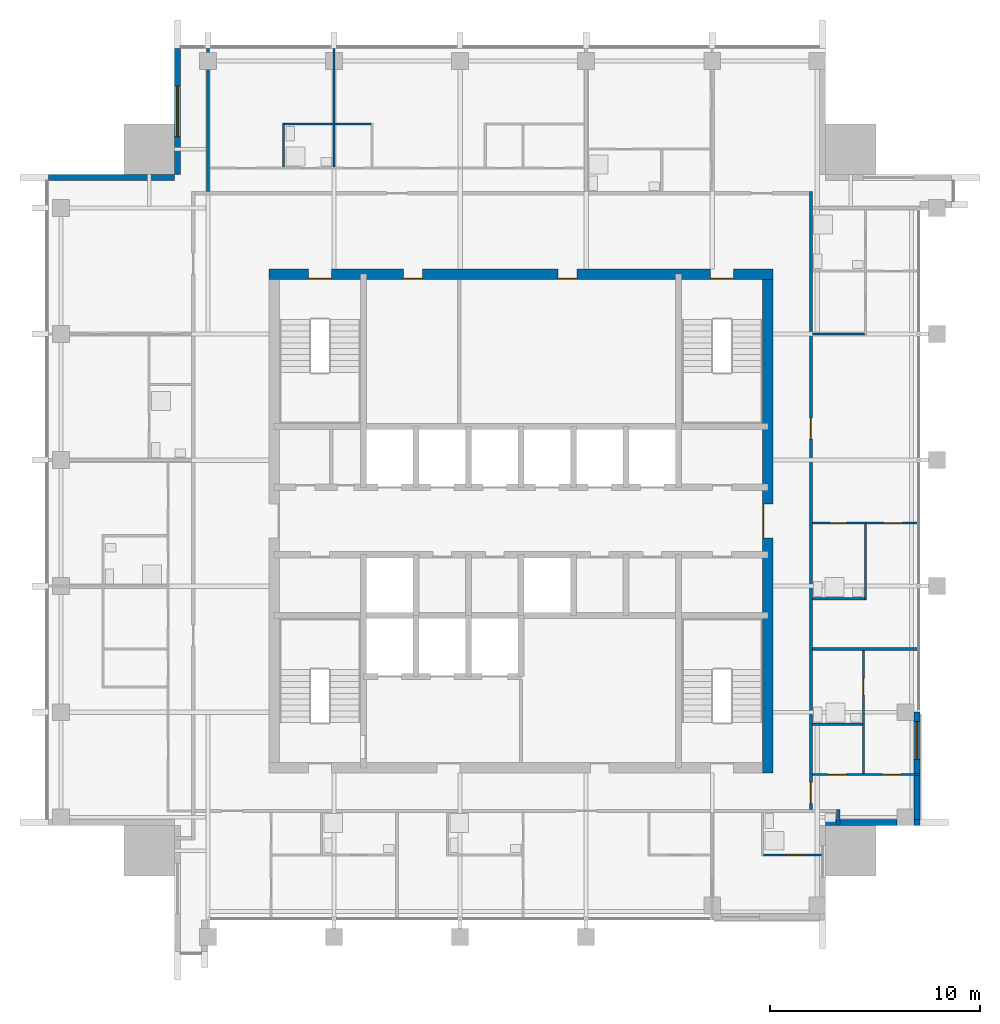
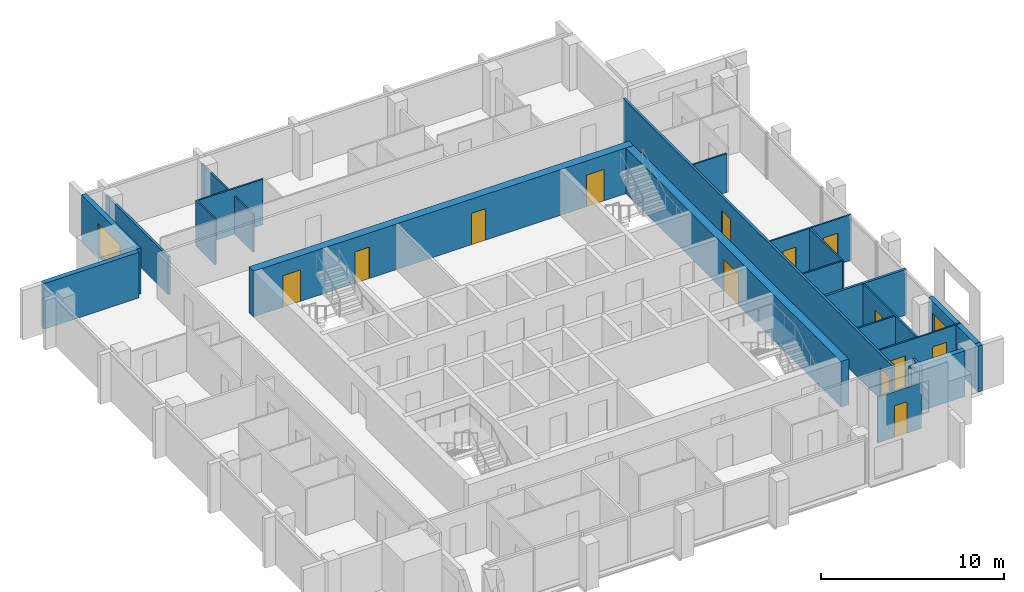
# One storey, part 9 of 13: 22 walls, 13 doors, 2 windows, 15 openings.
"""IFC4 building model written with IfcOpenShell, lengths in metres."""

from ifc_helpers import new_model, si_unit, direction, frame, frame_2d, origin, place, context, subcontext, project, spatial, rectangle, extrude, material, layer, layer_set, type_object, element, fill, save


model = new_model("IFC4")

# Units and contexts
model_context = context("Model", 3, precision=1e-05, world=origin(), true_north=direction((0.0, 1.0)))
body_context = subcontext(model_context, "Body", "Model", "MODEL_VIEW")
ifc_project = project(units=[si_unit("LENGTHUNIT", "METRE"), si_unit("AREAUNIT", "SQUARE_METRE"), si_unit("VOLUMEUNIT", "CUBIC_METRE"), si_unit("PLANEANGLEUNIT", "RADIAN"), si_unit("MASSUNIT", "GRAM", prefix="KILO")], contexts=[model_context])

# Site, building, storey
site_placement = place(None, origin())
site = spatial("IfcSite", under=ifc_project, at=site_placement, CompositionType="ELEMENT")
building_placement = place(site_placement, origin())
building = spatial("IfcBuilding", under=site, at=building_placement, Name="Amberfall Residences", CompositionType="ELEMENT")
storey_placement = place(building_placement, frame((0.0, 0.0, 271.89990234375)))
storey = spatial("IfcBuildingStorey", under=building, at=storey_placement, Name="L73", CompositionType="ELEMENT", Elevation=271.89990234375)

# Walls
ifc_material_1 = material(Name="Pale stone cladding on insulated backing", Category="masonry")
ifc_layer_1 = layer(ifc_material_1, 0.300048828125)
ifc_layer_set_1 = layer_set([ifc_layer_1], Name="Bronze clad wall 300")
wall_type_1 = type_object("IfcWallType", Name="Bronze clad wall 300", PredefinedType="SOLIDWALL", material=ifc_layer_set_1)
wall_1_placement = place(storey_placement, frame((89.0, 31.14990234375, 0.0), z_axis=(0.0, 0.0, 1.0), x_axis=(1.0, 0.0, 0.0)))
element("IfcWall", 1, at=wall_1_placement, inside=storey, type_object=wall_type_1, Name="External wall L73 SE", PredefinedType="SOLIDWALL", context=body_context, shape_type="SweptSolid", body=[
    extrude(rectangle(XDim=3.39990234375, YDim=0.300048828125, at=frame_2d((1.699951171875, 0.0))), origin(), (0.0, 0.0, 1.0), 3.050048828125),
])
wall_2_placement = place(storey_placement, frame((93.199951171875, 31.14990234375, 0.0), z_axis=(0.0, 0.0, 1.0), x_axis=(1.0, 0.0, 0.0)))
element("IfcWall", 2, at=wall_2_placement, inside=storey, type_object=wall_type_1, Name="External wall L73 SE", PredefinedType="SOLIDWALL", context=body_context, shape_type="SweptSolid", body=[
    extrude(rectangle(XDim=0.300048828125, YDim=0.300048828125, at=frame_2d((0.14990234375, 0.0))), origin(), (0.0, 0.0, 1.0), 3.050048828125),
])

# Wall, opening, window
wall_3_placement = place(storey_placement, frame((58.14990234375, 68.0, 0.0), z_axis=(0.0, 0.0, 1.0), x_axis=(0.0, -1.0, 0.0)))
wall_3 = element("IfcWall", 3, at=wall_3_placement, inside=storey, type_object=wall_type_1, Name="External wall L73 NW", PredefinedType="SOLIDWALL", context=body_context, shape_type="SweptSolid", body=[
    extrude(rectangle(XDim=6.0, YDim=0.300048828125, at=frame_2d((3.0, 0.0))), origin(), (0.0, 0.0, 1.0), 3.050048828125),
])
opening_1_placement = place(wall_3_placement, frame((1.800048828125, 0.0, 0.14990234375)))
opening_1 = element("IfcOpeningElement", 4, at=opening_1_placement, cuts=wall_3, Name="Opening WN5", PredefinedType="OPENING", context=body_context, shape_type="SweptSolid", body=[
    extrude(rectangle(XDim=2.39990234375, YDim=2.10009765625, at=frame_2d((1.199951171875, 1.050048828125))), frame((0.0, 0.159912109375, 0.0), z_axis=(0.0, -1.0, 0.0), x_axis=(1.0, 0.0, 0.0)), (0.0, 0.0, 1.0), 0.320068359375),
])
ifc_material_2 = material(Name="Bronze aluminium framed glazing", Category="aluminium")
window_type_1 = type_object("IfcWindowType", Name="Glazed opening 2400 x 2100 bronze", PartitioningType="DOUBLE_PANEL_VERTICAL", PredefinedType="WINDOW", material=ifc_material_2)
window_1_placement = place(opening_1_placement, origin())
window_1 = element("IfcWindow", 5, at=window_1_placement, inside=storey, type_object=window_type_1, Name="Window L73 NW", OverallHeight=2.10009765625, OverallWidth=2.39990234375, PartitioningType="DOUBLE_PANEL_VERTICAL", PredefinedType="WINDOW", context=body_context, shape_type="SweptSolid", body=[
    extrude(rectangle(XDim=2.39990234375, YDim=2.10009765625, at=frame_2d((1.199951171875, 1.050048828125))), frame((0.0, 0.030029296875, 0.0), z_axis=(0.0, -1.0, 0.0), x_axis=(1.0, 0.0, 0.0)), (0.0, 0.0, 1.0), 0.06005859375),
])
fill(opening_1, window_1)

# Wall
wall_4_placement = place(storey_placement, frame((58.0, 61.85009765625, 0.0), z_axis=(0.0, 0.0, 1.0), x_axis=(-1.0, 0.0, 0.0)))
element("IfcWall", 6, at=wall_4_placement, inside=storey, type_object=wall_type_1, Name="External wall L73 NW", PredefinedType="SOLIDWALL", context=body_context, shape_type="SweptSolid", body=[
    extrude(rectangle(XDim=6.0, YDim=0.300048828125, at=frame_2d((3.0, 0.0))), origin(), (0.0, 0.0, 1.0), 3.050048828125),
])

# Wall, opening, window
wall_5_placement = place(storey_placement, frame((93.35009765625, 31.300048828125, 0.0), z_axis=(0.0, 0.0, 1.0), x_axis=(0.0, 1.0, 0.0)))
wall_5 = element("IfcWall", 7, at=wall_5_placement, inside=storey, type_object=wall_type_1, Name="Stone wall L73 E", PredefinedType="SOLIDWALL", context=body_context, shape_type="SweptSolid", body=[
    extrude(rectangle(XDim=5.099853515625, YDim=0.300048828125, at=frame_2d((2.5498046875, 0.0))), origin(), (0.0, 0.0, 1.0), 3.050048828125),
])
opening_2_placement = place(wall_5_placement, frame((2.85009765625, 0.0, 0.14990234375)))
opening_2 = element("IfcOpeningElement", 8, at=opening_2_placement, cuts=wall_5, Name="Opening WN6", PredefinedType="OPENING", context=body_context, shape_type="SweptSolid", body=[
    extrude(rectangle(XDim=1.800048828125, YDim=2.10009765625, at=frame_2d((0.89990234375, 1.050048828125))), frame((0.0, 0.159912109375, 0.0), z_axis=(0.0, -1.0, 0.0), x_axis=(1.0, 0.0, 0.0)), (0.0, 0.0, 1.0), 0.320068359375),
])
window_type_2 = type_object("IfcWindowType", Name="Glazed opening 1800 x 2100 bronze", PartitioningType="DOUBLE_PANEL_VERTICAL", PredefinedType="WINDOW", material=ifc_material_2)
window_2_placement = place(opening_2_placement, origin())
window_2 = element("IfcWindow", 9, at=window_2_placement, inside=storey, type_object=window_type_2, Name="Window L73 E", OverallHeight=2.10009765625, OverallWidth=1.800048828125, PartitioningType="DOUBLE_PANEL_VERTICAL", PredefinedType="WINDOW", context=body_context, shape_type="SweptSolid", body=[
    extrude(rectangle(XDim=1.800048828125, YDim=2.10009765625, at=frame_2d((0.89990234375, 1.050048828125))), frame((0.0, 0.030029296875, 0.0), z_axis=(0.0, -1.0, 0.0), x_axis=(1.0, 0.0, 0.0)), (0.0, 0.0, 1.0), 0.06005859375),
])
fill(opening_2, window_2)

# Wall, openings, doors
ifc_material_3 = material(Name="Concrete C50", Category="concrete")
ifc_layer_2 = layer(ifc_material_3, 0.5)
ifc_layer_set_2 = layer_set([ifc_layer_2], Name="Core wall 500 C50")
wall_type_2 = type_object("IfcWallType", Name="Core wall 500 C50", PredefinedType="SHEAR", material=ifc_layer_set_2)
wall_6_placement = place(storey_placement, frame((62.5, 57.25, 0.0), z_axis=(0.0, 0.0, 1.0), x_axis=(1.0, 0.0, 0.0)))
wall_6 = element("IfcWall", 10, at=wall_6_placement, inside=storey, type_object=wall_type_2, Name="Core wall RW9 L73 ON", PredefinedType="SHEAR", context=body_context, shape_type="SweptSolid", body=[
    extrude(rectangle(XDim=24.0, YDim=0.5, at=frame_2d((12.0, 0.0))), origin(), (0.0, 0.0, 1.0), 3.050048828125),
])
opening_3_placement = place(wall_6_placement, frame((21.02490234375, 0.0, 0.0)))
opening_3 = element("IfcOpeningElement", 11, at=opening_3_placement, cuts=wall_6, Name="Opening SD1", PredefinedType="OPENING", context=body_context, shape_type="SweptSolid", body=[
    extrude(rectangle(XDim=1.10009765625, YDim=2.10009765625, at=frame_2d((0.550048828125, 1.050048828125))), frame((0.0, 0.260009765625, 0.0), z_axis=(0.0, -1.0, 0.0), x_axis=(1.0, 0.0, 0.0)), (0.0, 0.0, 1.0), 0.52001953125),
])
opening_4_placement = place(wall_6_placement, frame((1.875, 0.0, 0.0)))
opening_4 = element("IfcOpeningElement", 12, at=opening_4_placement, cuts=wall_6, Name="Opening SD1", PredefinedType="OPENING", context=body_context, shape_type="SweptSolid", body=[
    extrude(rectangle(XDim=1.10009765625, YDim=2.10009765625, at=frame_2d((0.550048828125, 1.050048828125))), frame((0.0, 0.260009765625, 0.0), z_axis=(0.0, -1.0, 0.0), x_axis=(1.0, 0.0, 0.0)), (0.0, 0.0, 1.0), 0.52001953125),
])
opening_5_placement = place(wall_6_placement, frame((6.405029296875, 0.0, 0.0)))
opening_5 = element("IfcOpeningElement", 13, at=opening_5_placement, cuts=wall_6, Name="Opening RD1", PredefinedType="OPENING", context=body_context, shape_type="SweptSolid", body=[
    extrude(rectangle(XDim=0.89990234375, YDim=2.10009765625, at=frame_2d((0.449951171875, 1.050048828125))), frame((0.0, 0.260009765625, 0.0), z_axis=(0.0, -1.0, 0.0), x_axis=(1.0, 0.0, 0.0)), (0.0, 0.0, 1.0), 0.52001953125),
])
opening_6_placement = place(wall_6_placement, frame((13.7548828125, 0.0, 0.0)))
opening_6 = element("IfcOpeningElement", 14, at=opening_6_placement, cuts=wall_6, Name="Opening RD1", PredefinedType="OPENING", context=body_context, shape_type="SweptSolid", body=[
    extrude(rectangle(XDim=0.89990234375, YDim=2.10009765625, at=frame_2d((0.449951171875, 1.050048828125))), frame((0.0, 0.260009765625, 0.0), z_axis=(0.0, -1.0, 0.0), x_axis=(1.0, 0.0, 0.0)), (0.0, 0.0, 1.0), 0.52001953125),
])
ifc_material_4 = material(Name="Steel fire door set", Category="steel")
door_type_1 = type_object("IfcDoorType", Name="Service room door 900 x 2100", OperationType="SINGLE_SWING_LEFT", PredefinedType="DOOR", material=ifc_material_4)
door_1_placement = place(opening_5_placement, origin())
door_1 = element("IfcDoor", 15, at=door_1_placement, inside=storey, type_object=door_type_1, Name="RD1 L73", OperationType="SINGLE_SWING_RIGHT", OverallHeight=2.10009765625, OverallWidth=0.89990234375, PredefinedType="DOOR", context=body_context, shape_type="SweptSolid", body=[
    extrude(rectangle(XDim=0.89990234375, YDim=2.10009765625, at=frame_2d((0.449951171875, 1.050048828125))), frame((0.0, -0.1875, 0.0), z_axis=(0.0, -1.0, 0.0), x_axis=(1.0, 0.0, 0.0)), (0.0, 0.0, 1.0), 0.050048828125),
])
fill(opening_5, door_1)
door_2_placement = place(opening_6_placement, origin())
door_2 = element("IfcDoor", 16, at=door_2_placement, inside=storey, type_object=door_type_1, Name="RD1 L73", OperationType="SINGLE_SWING_RIGHT", OverallHeight=2.10009765625, OverallWidth=0.89990234375, PredefinedType="DOOR", context=body_context, shape_type="SweptSolid", body=[
    extrude(rectangle(XDim=0.89990234375, YDim=2.10009765625, at=frame_2d((0.449951171875, 1.050048828125))), frame((0.0, -0.1875, 0.0), z_axis=(0.0, -1.0, 0.0), x_axis=(1.0, 0.0, 0.0)), (0.0, 0.0, 1.0), 0.050048828125),
])
fill(opening_6, door_2)
door_type_2 = type_object("IfcDoorType", Name="Stair door 1100 x 2100", OperationType="SINGLE_SWING_LEFT", PredefinedType="DOOR", material=ifc_material_4)
door_3_placement = place(opening_3_placement, origin())
door_3 = element("IfcDoor", 17, at=door_3_placement, inside=storey, type_object=door_type_2, Name="SD1 L73", OperationType="SINGLE_SWING_RIGHT", OverallHeight=2.10009765625, OverallWidth=1.10009765625, PredefinedType="DOOR", context=body_context, shape_type="SweptSolid", body=[
    extrude(rectangle(XDim=1.10009765625, YDim=2.10009765625, at=frame_2d((0.550048828125, 1.050048828125))), frame((0.0, -0.1875, 0.0), z_axis=(0.0, -1.0, 0.0), x_axis=(1.0, 0.0, 0.0)), (0.0, 0.0, 1.0), 0.050048828125),
])
fill(opening_3, door_3)
door_4_placement = place(opening_4_placement, origin())
door_4 = element("IfcDoor", 18, at=door_4_placement, inside=storey, type_object=door_type_2, Name="SD1 L73", OperationType="SINGLE_SWING_LEFT", OverallHeight=2.10009765625, OverallWidth=1.10009765625, PredefinedType="DOOR", context=body_context, shape_type="SweptSolid", body=[
    extrude(rectangle(XDim=1.10009765625, YDim=2.10009765625, at=frame_2d((0.550048828125, 1.050048828125))), frame((0.0, -0.1875, 0.0), z_axis=(0.0, -1.0, 0.0), x_axis=(1.0, 0.0, 0.0)), (0.0, 0.0, 1.0), 0.050048828125),
])
fill(opening_4, door_4)

# Wall, opening, door
wall_7_placement = place(storey_placement, frame((86.25, 33.5, 0.0), z_axis=(0.0, 0.0, 1.0), x_axis=(0.0, 1.0, 0.0)))
wall_7 = element("IfcWall", 19, at=wall_7_placement, inside=storey, type_object=wall_type_2, Name="Core wall RW9 L73 OE", PredefinedType="SHEAR", context=body_context, shape_type="SweptSolid", body=[
    extrude(rectangle(XDim=24.0, YDim=0.5, at=frame_2d((12.0, 0.0))), origin(), (0.0, 0.0, 1.0), 3.050048828125),
])
opening_7_placement = place(wall_7_placement, frame((11.199951171875, 0.0, 0.0)))
opening_7 = element("IfcOpeningElement", 20, at=opening_7_placement, cuts=wall_7, Name="Opening LB1", PredefinedType="OPENING", context=body_context, shape_type="SweptSolid", body=[
    extrude(rectangle(XDim=1.60009765625, YDim=2.10009765625, at=frame_2d((0.800048828125, 1.050048828125))), frame((0.0, 0.260009765625, 0.0), z_axis=(0.0, -1.0, 0.0), x_axis=(1.0, 0.0, 0.0)), (0.0, 0.0, 1.0), 0.52001953125),
])
door_type_3 = type_object("IfcDoorType", Name="Lift lobby double door 1600 x 2100", OperationType="DOUBLE_DOOR_SINGLE_SWING", PredefinedType="DOOR", material=ifc_material_4)
door_5_placement = place(opening_7_placement, origin())
door_5 = element("IfcDoor", 21, at=door_5_placement, inside=storey, type_object=door_type_3, Name="LB1 L73", OperationType="DOUBLE_DOOR_SINGLE_SWING", OverallHeight=2.10009765625, OverallWidth=1.60009765625, PredefinedType="DOOR", context=body_context, shape_type="SweptSolid", body=[
    extrude(rectangle(XDim=1.60009765625, YDim=2.10009765625, at=frame_2d((0.800048828125, 1.050048828125))), frame((0.0, 0.2373046875, 0.0), z_axis=(0.0, -1.0, 0.0), x_axis=(1.0, 0.0, 0.0)), (0.0, 0.0, 1.0), 0.050048828125),
])
fill(opening_7, door_5)

# Walls
ifc_material_5 = material(Name="Gypsum board on metal stud")
ifc_layer_3 = layer(ifc_material_5, 0.10009765625)
ifc_layer_set_3 = layer_set([ifc_layer_3], Name="Flat partition 100")
wall_type_3 = type_object("IfcWallType", Name="Flat partition 100", PredefinedType="PARTITIONING", material=ifc_layer_set_3)
wall_8_placement = place(storey_placement, frame((63.199951171875, 62.35009765625, 0.0), z_axis=(0.0, 0.0, 1.0), x_axis=(0.0, 1.0, 0.0)))
element("IfcWall", 22, at=wall_8_placement, inside=storey, type_object=wall_type_3, Name="Partition 005", PredefinedType="PARTITIONING", context=body_context, shape_type="SweptSolid", body=[
    extrude(rectangle(XDim=2.099853515625, YDim=0.10009765625, at=frame_2d((1.0498046875, 0.0))), origin(), (0.0, 0.0, 1.0), 3.050048828125),
])
wall_9_placement = place(storey_placement, frame((65.60009765625, 62.35009765625, 0.0), z_axis=(0.0, 0.0, 1.0), x_axis=(0.0, 1.0, 0.0)))
element("IfcWall", 23, at=wall_9_placement, inside=storey, type_object=wall_type_3, Name="Partition 007", PredefinedType="PARTITIONING", context=body_context, shape_type="SweptSolid", body=[
    extrude(rectangle(XDim=5.64990234375, YDim=0.10009765625, at=frame_2d((2.824951171875, 0.0))), origin(), (0.0, 0.0, 1.0), 2.51611328125),
])

# Wall, opening, door
wall_10_placement = place(storey_placement, frame((90.800048828125, 33.47509765625, 0.0), z_axis=(0.0, 0.0, 1.0), x_axis=(0.0, 1.0, 0.0)))
wall_10 = element("IfcWall", 24, at=wall_10_placement, inside=storey, type_object=wall_type_3, Name="Partition 018", PredefinedType="PARTITIONING", context=body_context, shape_type="SweptSolid", body=[
    extrude(rectangle(XDim=5.849853515625, YDim=0.10009765625, at=frame_2d((2.9248046875, 0.0))), origin(), (0.0, 0.0, 1.0), 3.050048828125),
])
opening_8_placement = place(wall_10_placement, frame((3.737548828125, 0.0, 0.0)))
opening_8 = element("IfcOpeningElement", 25, at=opening_8_placement, cuts=wall_10, Name="Opening D42", PredefinedType="OPENING", context=body_context, shape_type="SweptSolid", body=[
    extrude(rectangle(XDim=0.800048828125, YDim=2.10009765625, at=frame_2d((0.39990234375, 1.050048828125))), frame((0.0, 0.06005859375, 0.0), z_axis=(0.0, -1.0, 0.0), x_axis=(1.0, 0.0, 0.0)), (0.0, 0.0, 1.0), 0.1201171875),
])
ifc_material_6 = material(Name="Timber", Category="wood")
door_type_4 = type_object("IfcDoorType", Name="Bathroom door 800 x 2100", OperationType="SINGLE_SWING_LEFT", PredefinedType="DOOR", material=ifc_material_6)
door_6_placement = place(opening_8_placement, origin())
door_6 = element("IfcDoor", 26, at=door_6_placement, inside=storey, type_object=door_type_4, Name="Door 7303 bath1", OperationType="SINGLE_SWING_LEFT", OverallHeight=2.10009765625, OverallWidth=0.800048828125, PredefinedType="DOOR", context=body_context, shape_type="SweptSolid", body=[
    extrude(rectangle(XDim=0.800048828125, YDim=2.10009765625, at=frame_2d((0.39990234375, 1.050048828125))), frame((0.0, 0.02490234375, 0.0), z_axis=(0.0, -1.0, 0.0), x_axis=(1.0, 0.0, 0.0)), (0.0, 0.0, 1.0), 0.050048828125),
])
fill(opening_8, door_6)

# Walls
wall_11_placement = place(storey_placement, frame((90.89990234375, 41.75, 0.0), z_axis=(0.0, 0.0, 1.0), x_axis=(0.0, 1.0, 0.0)))
element("IfcWall", 27, at=wall_11_placement, inside=storey, type_object=wall_type_3, Name="Partition 019", PredefinedType="PARTITIONING", context=body_context, shape_type="SweptSolid", body=[
    extrude(rectangle(XDim=3.60009765625, YDim=0.10009765625, at=frame_2d((1.800048828125, 0.0))), origin(), (0.0, 0.0, 1.0), 3.050048828125),
])
wall_12_placement = place(storey_placement, frame((63.25, 64.39990234375, 0.0), z_axis=(0.0, 0.0, 1.0), x_axis=(1.0, 0.0, 0.0)))
element("IfcWall", 28, at=wall_12_placement, inside=storey, type_object=wall_type_3, Name="Partition 021", PredefinedType="PARTITIONING", context=body_context, shape_type="SweptSolid", body=[
    extrude(rectangle(XDim=4.10009765625, YDim=0.10009765625, at=frame_2d((2.050048828125, 0.0))), origin(), (0.0, 0.0, 1.0), 3.050048828125),
])
wall_13_placement = place(storey_placement, frame((88.375, 54.39990234375, 0.0), z_axis=(0.0, 0.0, 1.0), x_axis=(1.0, 0.0, 0.0)))
element("IfcWall", 29, at=wall_13_placement, inside=storey, type_object=wall_type_3, Name="Partition 027", PredefinedType="PARTITIONING", context=body_context, shape_type="SweptSolid", body=[
    extrude(rectangle(XDim=2.47509765625, YDim=0.10009765625, at=frame_2d((1.237548828125, 0.0))), origin(), (0.0, 0.0, 1.0), 2.590087890625),
])

# Wall, openings, doors
wall_14_placement = place(storey_placement, frame((93.5, 45.39990234375, 0.0), z_axis=(0.0, 0.0, 1.0), x_axis=(-1.0, 0.0, 0.0)))
wall_14 = element("IfcWall", 30, at=wall_14_placement, inside=storey, type_object=wall_type_3, Name="Partition 029", PredefinedType="PARTITIONING", context=body_context, shape_type="SweptSolid", body=[
    extrude(rectangle(XDim=5.125, YDim=0.10009765625, at=frame_2d((2.5625, 0.0))), origin(), (0.0, 0.0, 1.0), 3.050048828125),
])
opening_9_placement = place(wall_14_placement, frame((0.85009765625, 0.0, 0.0)))
opening_9 = element("IfcOpeningElement", 31, at=opening_9_placement, cuts=wall_14, Name="Opening D41", PredefinedType="OPENING", context=body_context, shape_type="SweptSolid", body=[
    extrude(rectangle(XDim=0.89990234375, YDim=2.10009765625, at=frame_2d((0.449951171875, 1.050048828125))), frame((0.0, 0.06005859375, 0.0), z_axis=(0.0, -1.0, 0.0), x_axis=(1.0, 0.0, 0.0)), (0.0, 0.0, 1.0), 0.1201171875),
])
opening_10_placement = place(wall_14_placement, frame((3.5, 0.0, 0.0)))
opening_10 = element("IfcOpeningElement", 32, at=opening_10_placement, cuts=wall_14, Name="Opening D42", PredefinedType="OPENING", context=body_context, shape_type="SweptSolid", body=[
    extrude(rectangle(XDim=0.800048828125, YDim=2.10009765625, at=frame_2d((0.39990234375, 1.050048828125))), frame((0.0, 0.06005859375, 0.0), z_axis=(0.0, -1.0, 0.0), x_axis=(1.0, 0.0, 0.0)), (0.0, 0.0, 1.0), 0.1201171875),
])
door_7_placement = place(opening_10_placement, origin())
door_7 = element("IfcDoor", 33, at=door_7_placement, inside=storey, type_object=door_type_4, Name="Door 7304 bath1", OperationType="SINGLE_SWING_LEFT", OverallHeight=2.10009765625, OverallWidth=0.800048828125, PredefinedType="DOOR", context=body_context, shape_type="SweptSolid", body=[
    extrude(rectangle(XDim=0.800048828125, YDim=2.10009765625, at=frame_2d((0.39990234375, 1.050048828125))), frame((0.0, 0.02490234375, 0.0), z_axis=(0.0, -1.0, 0.0), x_axis=(1.0, 0.0, 0.0)), (0.0, 0.0, 1.0), 0.050048828125),
])
fill(opening_10, door_7)
door_type_5 = type_object("IfcDoorType", Name="Internal door 900 x 2100", OperationType="SINGLE_SWING_LEFT", PredefinedType="DOOR", material=ifc_material_6)
door_8_placement = place(opening_9_placement, origin())
door_8 = element("IfcDoor", 34, at=door_8_placement, inside=storey, type_object=door_type_5, Name="Door 7304 bedroom1", OperationType="SINGLE_SWING_LEFT", OverallHeight=2.10009765625, OverallWidth=0.89990234375, PredefinedType="DOOR", context=body_context, shape_type="SweptSolid", body=[
    extrude(rectangle(XDim=0.89990234375, YDim=2.10009765625, at=frame_2d((0.449951171875, 1.050048828125))), frame((0.0, 0.02490234375, 0.0), z_axis=(0.0, -1.0, 0.0), x_axis=(1.0, 0.0, 0.0)), (0.0, 0.0, 1.0), 0.050048828125),
])
fill(opening_9, door_8)

# Walls
wall_15_placement = place(storey_placement, frame((88.375, 41.800048828125, 0.0), z_axis=(0.0, 0.0, 1.0), x_axis=(1.0, 0.0, 0.0)))
element("IfcWall", 35, at=wall_15_placement, inside=storey, type_object=wall_type_3, Name="Partition 032", PredefinedType="PARTITIONING", context=body_context, shape_type="SweptSolid", body=[
    extrude(rectangle(XDim=2.47509765625, YDim=0.10009765625, at=frame_2d((1.237548828125, 0.0))), origin(), (0.0, 0.0, 1.0), 3.050048828125),
])
wall_16_placement = place(storey_placement, frame((88.375, 35.824951171875, 0.0), z_axis=(0.0, 0.0, 1.0), x_axis=(1.0, 0.0, 0.0)))
element("IfcWall", 36, at=wall_16_placement, inside=storey, type_object=wall_type_3, Name="Partition 035", PredefinedType="PARTITIONING", context=body_context, shape_type="SweptSolid", body=[
    extrude(rectangle(XDim=2.375, YDim=0.10009765625, at=frame_2d((1.1875, 0.0))), origin(), (0.0, 0.0, 1.0), 3.050048828125),
])

# Wall, openings, doors
wall_17_placement = place(storey_placement, frame((88.375, 33.425048828125, 0.0), z_axis=(0.0, 0.0, 1.0), x_axis=(1.0, 0.0, 0.0)))
wall_17 = element("IfcWall", 37, at=wall_17_placement, inside=storey, type_object=wall_type_3, Name="Partition 036", PredefinedType="PARTITIONING", context=body_context, shape_type="SweptSolid", body=[
    extrude(rectangle(XDim=5.125, YDim=0.10009765625, at=frame_2d((2.5625, 0.0))), origin(), (0.0, 0.0, 1.0), 3.050048828125),
])
opening_11_placement = place(wall_17_placement, frame((0.72509765625, 0.0, 0.0)))
opening_11 = element("IfcOpeningElement", 38, at=opening_11_placement, cuts=wall_17, Name="Opening D41", PredefinedType="OPENING", context=body_context, shape_type="SweptSolid", body=[
    extrude(rectangle(XDim=0.89990234375, YDim=2.10009765625, at=frame_2d((0.449951171875, 1.050048828125))), frame((0.0, 0.06005859375, 0.0), z_axis=(0.0, -1.0, 0.0), x_axis=(1.0, 0.0, 0.0)), (0.0, 0.0, 1.0), 0.1201171875),
])
opening_12_placement = place(wall_17_placement, frame((3.324951171875, 0.0, 0.0)))
opening_12 = element("IfcOpeningElement", 39, at=opening_12_placement, cuts=wall_17, Name="Opening D41", PredefinedType="OPENING", context=body_context, shape_type="SweptSolid", body=[
    extrude(rectangle(XDim=0.89990234375, YDim=2.10009765625, at=frame_2d((0.449951171875, 1.050048828125))), frame((0.0, 0.06005859375, 0.0), z_axis=(0.0, -1.0, 0.0), x_axis=(1.0, 0.0, 0.0)), (0.0, 0.0, 1.0), 0.1201171875),
])
door_9_placement = place(opening_11_placement, origin())
door_9 = element("IfcDoor", 40, at=door_9_placement, inside=storey, type_object=door_type_5, Name="Door 7303 kitchen", OperationType="SINGLE_SWING_LEFT", OverallHeight=2.10009765625, OverallWidth=0.89990234375, PredefinedType="DOOR", context=body_context, shape_type="SweptSolid", body=[
    extrude(rectangle(XDim=0.89990234375, YDim=2.10009765625, at=frame_2d((0.449951171875, 1.050048828125))), frame((0.0, 0.02490234375, 0.0), z_axis=(0.0, -1.0, 0.0), x_axis=(1.0, 0.0, 0.0)), (0.0, 0.0, 1.0), 0.050048828125),
])
fill(opening_11, door_9)
door_10_placement = place(opening_12_placement, origin())
door_10 = element("IfcDoor", 41, at=door_10_placement, inside=storey, type_object=door_type_5, Name="Door 7303 bedroom1", OperationType="SINGLE_SWING_LEFT", OverallHeight=2.10009765625, OverallWidth=0.89990234375, PredefinedType="DOOR", context=body_context, shape_type="SweptSolid", body=[
    extrude(rectangle(XDim=0.89990234375, YDim=2.10009765625, at=frame_2d((0.449951171875, 1.050048828125))), frame((0.0, 0.02490234375, 0.0), z_axis=(0.0, -1.0, 0.0), x_axis=(1.0, 0.0, 0.0)), (0.0, 0.0, 1.0), 0.050048828125),
])
fill(opening_12, door_10)

# Wall, opening, door
wall_18_placement = place(storey_placement, frame((86.050048828125, 29.60009765625, 0.0), z_axis=(0.0, 0.0, 1.0), x_axis=(1.0, 0.0, 0.0)))
wall_18 = element("IfcWall", 42, at=wall_18_placement, inside=storey, type_object=wall_type_3, Name="Partition 041", PredefinedType="PARTITIONING", context=body_context, shape_type="SweptSolid", body=[
    extrude(rectangle(XDim=2.75, YDim=0.10009765625, at=frame_2d((1.375, 0.0))), origin(), (0.0, 0.0, 1.0), 3.050048828125),
])
opening_13_placement = place(wall_18_placement, frame((1.050048828125, 0.0, 0.0)))
opening_13 = element("IfcOpeningElement", 43, at=opening_13_placement, cuts=wall_18, Name="Opening D42", PredefinedType="OPENING", context=body_context, shape_type="SweptSolid", body=[
    extrude(rectangle(XDim=0.800048828125, YDim=2.10009765625, at=frame_2d((0.39990234375, 1.050048828125))), frame((0.0, 0.06005859375, 0.0), z_axis=(0.0, -1.0, 0.0), x_axis=(1.0, 0.0, 0.0)), (0.0, 0.0, 1.0), 0.1201171875),
])
door_11_placement = place(opening_13_placement, origin())
door_11 = element("IfcDoor", 44, at=door_11_placement, inside=storey, type_object=door_type_4, Name="Door 7302 bath2", OperationType="SINGLE_SWING_LEFT", OverallHeight=2.10009765625, OverallWidth=0.800048828125, PredefinedType="DOOR", context=body_context, shape_type="SweptSolid", body=[
    extrude(rectangle(XDim=0.800048828125, YDim=2.10009765625, at=frame_2d((0.39990234375, 1.050048828125))), frame((0.0, 0.02490234375, 0.0), z_axis=(0.0, -1.0, 0.0), x_axis=(1.0, 0.0, 0.0)), (0.0, 0.0, 1.0), 0.050048828125),
])
fill(opening_13, door_11)

# Wall
ifc_material_7 = material(Name="Blockwork, plastered", Category="masonry")
ifc_layer_4 = layer(ifc_material_7, 0.14990234375)
ifc_layer_set_4 = layer_set([ifc_layer_4], Name="Flat separating wall 150")
wall_type_4 = type_object("IfcWallType", Name="Flat separating wall 150", PredefinedType="PARTITIONING", material=ifc_layer_set_4)
wall_19_placement = place(storey_placement, frame((59.60009765625, 61.175048828125, 0.0), z_axis=(0.0, 0.0, 1.0), x_axis=(0.0, 1.0, 0.0)))
element("IfcWall", 45, at=wall_19_placement, inside=storey, type_object=wall_type_4, Name="Separating wall 043", PredefinedType="PARTITIONING", context=body_context, shape_type="SweptSolid", body=[
    extrude(rectangle(XDim=6.824951171875, YDim=0.14990234375, at=frame_2d((3.41259765625, 0.0))), origin(), (0.0, 0.0, 1.0), 2.510009765625),
])

# Wall, openings, doors
wall_20_placement = place(storey_placement, frame((88.300048828125, 61.175048828125, 0.0), z_axis=(0.0, 0.0, 1.0), x_axis=(0.0, -1.0, 0.0)))
wall_20 = element("IfcWall", 46, at=wall_20_placement, inside=storey, type_object=wall_type_4, Name="Separating wall 046", PredefinedType="PARTITIONING", context=body_context, shape_type="SweptSolid", body=[
    extrude(rectangle(XDim=29.400146484375, YDim=0.14990234375, at=frame_2d((14.7001953125, 0.0))), origin(), (0.0, 0.0, 1.0), 3.050048828125),
])
opening_14_placement = place(wall_20_placement, frame((28.112548828125, 0.0, 0.0)))
opening_14 = element("IfcOpeningElement", 47, at=opening_14_placement, cuts=wall_20, Name="Opening D40", PredefinedType="OPENING", context=body_context, shape_type="SweptSolid", body=[
    extrude(rectangle(XDim=1.0, YDim=2.10009765625, at=frame_2d((0.5, 1.050048828125))), frame((0.0, 0.0849609375, 0.0), z_axis=(0.0, -1.0, 0.0), x_axis=(1.0, 0.0, 0.0)), (0.0, 0.0, 1.0), 0.169921875),
])
opening_15_placement = place(wall_20_placement, frame((10.77490234375, 0.0, 0.0)))
opening_15 = element("IfcOpeningElement", 48, at=opening_15_placement, cuts=wall_20, Name="Opening D40", PredefinedType="OPENING", context=body_context, shape_type="SweptSolid", body=[
    extrude(rectangle(XDim=1.0, YDim=2.10009765625, at=frame_2d((0.5, 1.050048828125))), frame((0.0, 0.0849609375, 0.0), z_axis=(0.0, -1.0, 0.0), x_axis=(1.0, 0.0, 0.0)), (0.0, 0.0, 1.0), 0.169921875),
])
ifc_material_8 = material(Name="Timber, fire-rated", Category="wood")
door_type_6 = type_object("IfcDoorType", Name="Flat entrance door FD60 1000 x 2100", OperationType="SINGLE_SWING_LEFT", PredefinedType="DOOR", material=ifc_material_8)
door_12_placement = place(opening_14_placement, origin())
door_12 = element("IfcDoor", 49, at=door_12_placement, inside=storey, type_object=door_type_6, Name="Door 7303 entrance", OperationType="SINGLE_SWING_LEFT", OverallHeight=2.10009765625, OverallWidth=1.0, PredefinedType="DOOR", context=body_context, shape_type="SweptSolid", body=[
    extrude(rectangle(XDim=1.0, YDim=2.10009765625, at=frame_2d((0.5, 1.050048828125))), frame((0.0, 0.02490234375, 0.0), z_axis=(0.0, -1.0, 0.0), x_axis=(1.0, 0.0, 0.0)), (0.0, 0.0, 1.0), 0.050048828125),
])
fill(opening_14, door_12)
door_13_placement = place(opening_15_placement, origin())
door_13 = element("IfcDoor", 50, at=door_13_placement, inside=storey, type_object=door_type_6, Name="Door 7304 entrance", OperationType="SINGLE_SWING_LEFT", OverallHeight=2.10009765625, OverallWidth=1.0, PredefinedType="DOOR", context=body_context, shape_type="SweptSolid", body=[
    extrude(rectangle(XDim=1.0, YDim=2.10009765625, at=frame_2d((0.5, 1.050048828125))), frame((0.0, 0.02490234375, 0.0), z_axis=(0.0, -1.0, 0.0), x_axis=(1.0, 0.0, 0.0)), (0.0, 0.0, 1.0), 0.050048828125),
])
fill(opening_15, door_13)

# Walls
wall_21_placement = place(storey_placement, frame((89.60009765625, 31.0, 0.0), z_axis=(0.0, 0.0, 1.0), x_axis=(0.0, 1.0, 0.0)))
element("IfcWall", 51, at=wall_21_placement, inside=storey, type_object=wall_type_4, Name="Separating wall 047", PredefinedType="PARTITIONING", context=body_context, shape_type="SweptSolid", body=[
    extrude(rectangle(XDim=0.77490234375, YDim=0.14990234375, at=frame_2d((0.387451171875, 0.0))), origin(), (0.0, 0.0, 1.0), 3.050048828125),
])
wall_22_placement = place(storey_placement, frame((88.375, 39.39990234375, 0.0), z_axis=(0.0, 0.0, 1.0), x_axis=(1.0, 0.0, 0.0)))
element("IfcWall", 52, at=wall_22_placement, inside=storey, type_object=wall_type_4, Name="Separating wall 051", PredefinedType="PARTITIONING", context=body_context, shape_type="SweptSolid", body=[
    extrude(rectangle(XDim=5.125, YDim=0.14990234375, at=frame_2d((2.5625, 0.0))), origin(), (0.0, 0.0, 1.0), 3.050048828125),
])

save(model, "model.ifc")
